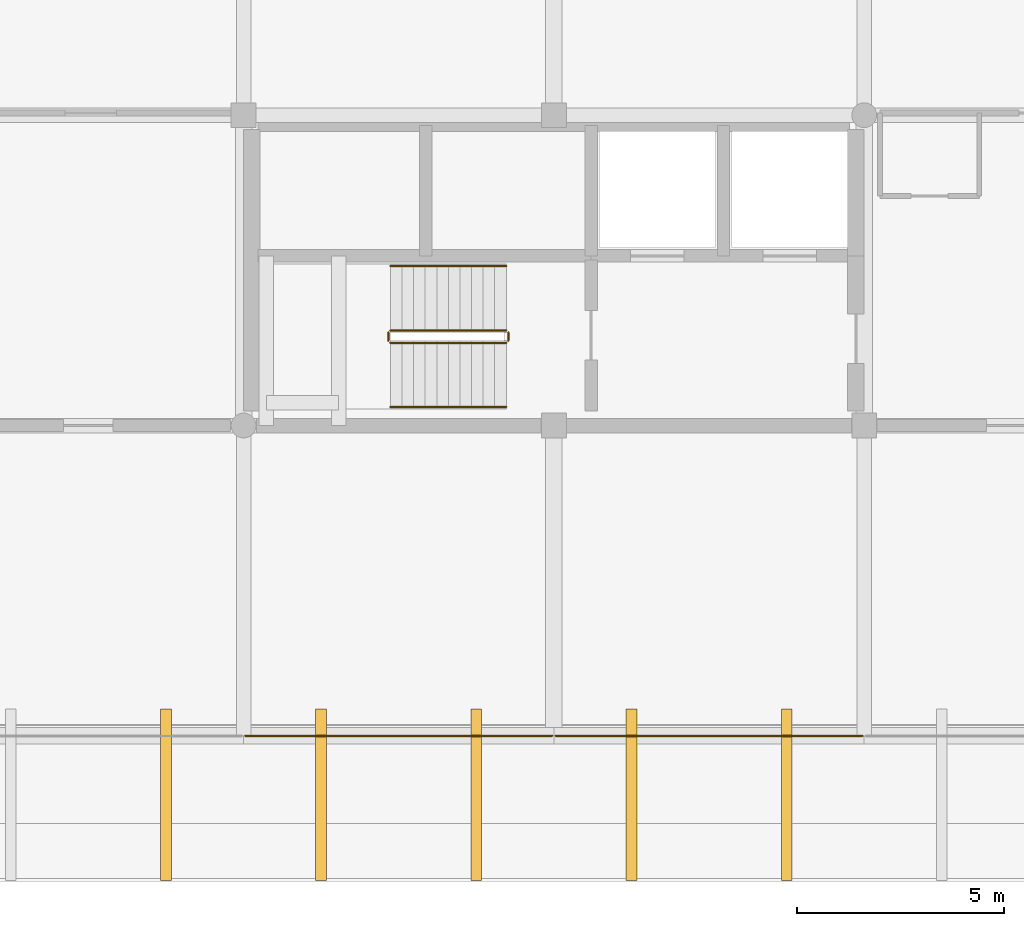
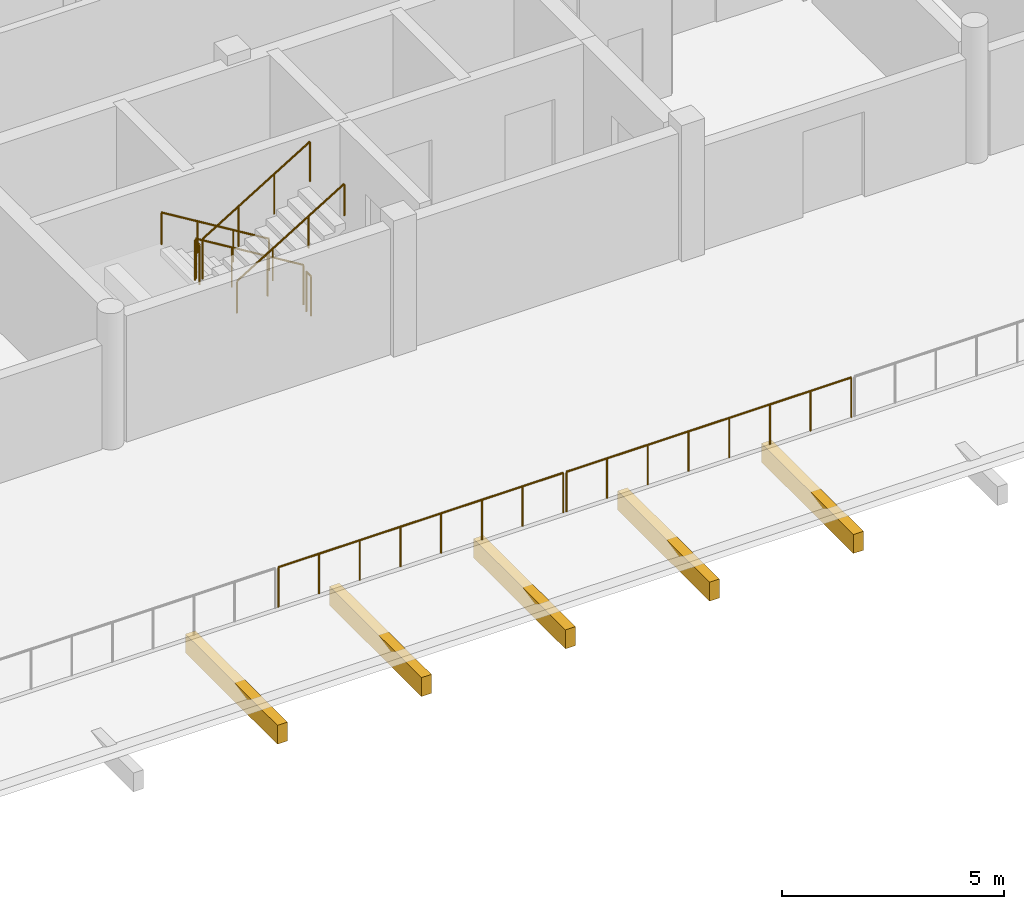
# One storey, part 40 of 43: 8 railings, 5 coverings.
"""IFC4 building model written with IfcOpenShell, lengths in metres."""

import ifcopenshell
import ifcopenshell.guid

model = None  # the IFC model being written
_history = None  # IfcOwnerHistory: only IFC2X3 demands one
_inside = {}  # id of a spatial element -> (the spatial element, [elements in it])
_under = {}  # id of a project, library or spatial element -> (it, [spatial elements below it])
_declared = {}  # id of a project -> (the project, [libraries it declares])
_typed = {}  # id of a type object -> (the type object, [elements of that type])
_made_of = {}  # id of a material, layer set ... -> (it, [elements and type objects made of it])


def new_model(schema):
    """Start an empty IFC model of exactly this schema.

    Asked for "IFC4X3", IfcOpenShell would pick the latest addendum, in which some entities
    have other attributes; the version numbers below select the first issue.
    IFC2X3 requires an IfcOwnerHistory on every rooted entity: one is made here for all.
    """
    global model, _history
    if schema == "IFC4X3":
        model = ifcopenshell.file(schema_version=(4, 3, 0, 0))
    else:
        model = ifcopenshell.file(schema=schema)
    _inside.clear()
    _under.clear()
    _declared.clear()
    _typed.clear()
    _made_of.clear()
    _history = None
    if model.schema == "IFC2X3":
        org = make("IfcOrganization", Name="unknown")
        user = make(
            "IfcPersonAndOrganization",
            ThePerson=make("IfcPerson", FamilyName="unknown"),
            TheOrganization=org,
        )
        app = make(
            "IfcApplication",
            ApplicationDeveloper=org,
            Version="unknown",
            ApplicationFullName="unknown",
            ApplicationIdentifier="unknown",
        )
        _history = make(
            "IfcOwnerHistory",
            OwningUser=user,
            OwningApplication=app,
            ChangeAction="ADDED",
            CreationDate=0,
        )
    return model


def make(cls, **values):
    """One entity of the class cls with the attributes given. An attribute that is None is left unset."""
    return model.create_entity(
        cls, **{name: value for name, value in values.items() if value is not None}
    )


def rooted(cls, **values):
    """An entity with a GlobalId (a new one), such as an element, a storey or a relation."""
    return make(cls, GlobalId=ifcopenshell.guid.new(), OwnerHistory=_history, **values)


def si_unit(unit_type, name, prefix=None):
    """IfcSIUnit, for example si_unit("LENGTHUNIT", "METRE", prefix="MILLI")."""
    return make("IfcSIUnit", UnitType=unit_type, Prefix=prefix, Name=name)


def assignment(units):
    """IfcUnitAssignment: the units of a project."""
    return None if units is None else make("IfcUnitAssignment", Units=units)


def point(xyz):
    """IfcCartesianPoint."""
    return None if xyz is None else make("IfcCartesianPoint", Coordinates=xyz)


def direction(xyz):
    """IfcDirection."""
    return None if xyz is None else make("IfcDirection", DirectionRatios=xyz)


def frame(location, z_axis=None, x_axis=None):
    """IfcAxis2Placement3D, a coordinate frame: its origin and axes. An axis left out is left unset."""
    return make(
        "IfcAxis2Placement3D",
        Location=point(location),
        Axis=direction(z_axis),
        RefDirection=direction(x_axis),
    )


def frame_2d(location, x_axis=None):
    """IfcAxis2Placement2D, a coordinate frame in the plane: its origin and x axis."""
    return make(
        "IfcAxis2Placement2D", Location=point(location), RefDirection=direction(x_axis)
    )


def origin():
    """The frame at (0, 0, 0) with its axes left unset."""
    return frame((0.0, 0.0, 0.0))


def origin_2d():
    """The frame at (0, 0) in the plane with its x axis left unset."""
    return frame_2d((0.0, 0.0))


def place(relative_to, where):
    """IfcLocalPlacement: puts the frame where relative to a parent placement (None: the world)."""
    return make(
        "IfcLocalPlacement", PlacementRelTo=relative_to, RelativePlacement=where
    )


def context(
    kind, dimensions, precision=None, world=None, true_north=None, identifier=None
):
    """IfcGeometricRepresentationContext, for example the 3D "Model" context."""
    return make(
        "IfcGeometricRepresentationContext",
        ContextIdentifier=identifier,
        ContextType=kind,
        CoordinateSpaceDimension=dimensions,
        Precision=precision,
        WorldCoordinateSystem=world,
        TrueNorth=true_north,
    )


def subcontext(parent, identifier, kind, view, scale=None):
    """IfcGeometricRepresentationSubContext, for example "Body" below "Model"."""
    return make(
        "IfcGeometricRepresentationSubContext",
        ContextIdentifier=identifier,
        ContextType=kind,
        ParentContext=parent,
        TargetScale=scale,
        TargetView=view,
    )


def project(units=None, contexts=None):
    """IfcProject with its units and contexts."""
    return rooted(
        "IfcProject",
        Name="project",
        RepresentationContexts=contexts,
        UnitsInContext=assignment(units),
    )


def spatial(cls, under=None, at=None, **own):
    """A site, building, storey or space (cls), placed at a placement, below another one or the project."""
    s = rooted(cls, ObjectPlacement=at, **own)
    if under is not None:
        _under.setdefault(under.id(), (under, []))[1].append(s)
    return s


def profile(cls, at=None, kind="AREA", **sizes):
    """A parametric profile (cls). Its sizes go by their IFC names, for example OverallWidth=200.0."""
    return make(cls, ProfileType=kind, Position=at, **sizes)


def rectangle(**sizes):
    """IfcRectangleProfileDef."""
    return profile("IfcRectangleProfileDef", **sizes)


def circle(**sizes):
    """IfcCircleProfileDef."""
    return profile("IfcCircleProfileDef", **sizes)


def extrude(swept, where, along, depth):
    """IfcExtrudedAreaSolid: the profile swept, set in the frame where, extruded along a direction by depth."""
    return make(
        "IfcExtrudedAreaSolid",
        SweptArea=swept,
        Position=where,
        ExtrudedDirection=direction(along),
        Depth=depth,
    )


def shape(context_of_items, identifier, shape_type, items):
    """IfcShapeRepresentation: the items that make up one representation, for example the "Body"."""
    return make(
        "IfcShapeRepresentation",
        ContextOfItems=context_of_items,
        RepresentationIdentifier=identifier,
        RepresentationType=shape_type,
        Items=items,
    )


def material(Name=None, Category=None):
    """IfcMaterial."""
    return make("IfcMaterial", Name=Name, Category=Category)


def layer(
    of_material, thickness, ventilated=None, Name=None, Category=None, Priority=None
):
    """IfcMaterialLayer: one layer of a wall or slab, of a material (None: an air gap)."""
    return make(
        "IfcMaterialLayer",
        Material=of_material,
        LayerThickness=thickness,
        IsVentilated=ventilated,
        Name=Name,
        Category=Category,
        Priority=Priority,
    )


def layer_set(layers, Name=None):
    """IfcMaterialLayerSet."""
    return make("IfcMaterialLayerSet", MaterialLayers=layers, LayerSetName=Name)


def made_of(thing, what):
    """Note that an element or type object is made of a material, layer set ...; save() writes the relation."""
    if what is not None:
        _made_of.setdefault(what.id(), (what, []))[1].append(thing)
    return thing


def type_object(cls, material=None, **own):
    """A type object (cls), such as IfcWallType, which elements share."""
    return made_of(rooted(cls, **own), material)


def element(
    cls,
    number,
    at=None,
    inside=None,
    cuts=None,
    type_object=None,
    material=None,
    context=None,
    identifier="Body",
    shape_type=None,
    held_by="IfcProductDefinitionShape",
    body=None,
    shapes=None,
    **own,
):
    """One element of the class cls, such as IfcWall. Its Tag is "e" and its number.

    at: its placement. inside: the storey or other place that contains it. cuts: it is an
    opening in that element (IfcRelVoidsElement). A single representation is given by context,
    identifier, shape_type and body (its items); several are given by shapes. held_by: the class
    of the entity that holds the representations. save() writes the other relations.
    """
    e = rooted(cls, Tag="e%d" % number, ObjectPlacement=at, **own)
    if body is not None:
        shapes = [shape(context, identifier, shape_type, body)]
    if shapes is not None:
        e.Representation = make(held_by, Representations=shapes)
    if inside is not None:
        _inside.setdefault(inside.id(), (inside, []))[1].append(e)
    if cuts is not None:
        rooted(
            "IfcRelVoidsElement", RelatingBuildingElement=cuts, RelatedOpeningElement=e
        )
    if type_object is not None:
        _typed.setdefault(type_object.id(), (type_object, []))[1].append(e)
    return made_of(e, material)


def aggregate(whole, parts):
    """IfcRelAggregates: a whole, such as a stair, and the parts it consists of."""
    return rooted("IfcRelAggregates", RelatingObject=whole, RelatedObjects=parts)


def save(model, path):
    """Write the relations noted so far, then the file.

    IfcRelAggregates (storeys below a building ...), IfcRelContainedInSpatialStructure (elements
    in a storey), IfcRelDefinesByType, IfcRelAssociatesMaterial and IfcRelDeclares: one each for
    every whole, place, type object, material and project.
    """
    for whole, parts in _under.values():
        aggregate(whole, parts)
    for where, things in _inside.values():
        rooted(
            "IfcRelContainedInSpatialStructure",
            RelatedElements=things,
            RelatingStructure=where,
        )
    for kind, things in _typed.values():
        rooted("IfcRelDefinesByType", RelatedObjects=things, RelatingType=kind)
    for what, things in _made_of.values():
        rooted("IfcRelAssociatesMaterial", RelatedObjects=things, RelatingMaterial=what)
    for by, libraries in _declared.values():
        rooted("IfcRelDeclares", RelatingContext=by, RelatedDefinitions=libraries)
    model.write(path)


model = new_model("IFC4")

# Units and contexts
model_context = context("Model", 3, precision=1e-05, world=origin(), true_north=direction((0.0, 1.0)))
body_context = subcontext(model_context, "Body", "Model", "MODEL_VIEW")
ifc_project = project(units=[si_unit("LENGTHUNIT", "METRE"), si_unit("AREAUNIT", "SQUARE_METRE"), si_unit("VOLUMEUNIT", "CUBIC_METRE"), si_unit("PLANEANGLEUNIT", "RADIAN"), si_unit("MASSUNIT", "GRAM", prefix="KILO")], contexts=[model_context])

# Site, building, storey
site_placement = place(None, origin())
site = spatial("IfcSite", under=ifc_project, at=site_placement, CompositionType="ELEMENT")
building_placement = place(site_placement, origin())
building = spatial("IfcBuilding", under=site, at=building_placement, Name="Dalvernix Boulevard General Hospital", CompositionType="ELEMENT")
storey_placement = place(building_placement, frame((0.0, 0.0, 14.10009765625)))
storey = spatial("IfcBuildingStorey", under=building, at=storey_placement, Name="L03", CompositionType="ELEMENT", Elevation=14.10009765625)

# Coverings
ifc_material_1 = material(Name="Preservative-treated glulam GL28h eave outlooker corbel bracket", Category="wood")
ifc_layer = layer(ifc_material_1, 0.239990234375)
ifc_layer_set = layer_set([ifc_layer], Name="Preservative-treated glulam GL28h eave outlooker corbel bracket (COV-OUTLOOK-01)")
covering_type = type_object("IfcCoveringType", Name="COV-OUTLOOK-01", PredefinedType="CLADDING", material=ifc_layer_set)
for number, where, z_axis, x_axis, name in (
    (1, (125.625, -1.425048828125, -0.940185546875), (0.0, 0.0, 1.0), (1.0, 0.0, 0.0), "TIER-V5-BASE glulam eave outlooker corbel S-4"),
    (2, (129.375, -1.425048828125, -0.940185546875), (0.0, 0.0, 1.0), (1.0, 0.0, 0.0), "TIER-V5-BASE glulam eave outlooker corbel S-5"),
    (3, (133.125, -1.425048828125, -0.940185546875), (0.0, 0.0, 1.0), (1.0, 0.0, 0.0), "TIER-V5-BASE glulam eave outlooker corbel S-6"),
    (4, (136.875, -1.425048828125, -0.940185546875), (0.0, 0.0, 1.0), (1.0, 0.0, 0.0), "TIER-V5-BASE glulam eave outlooker corbel S-7"),
    (5, (140.625, -1.425048828125, -0.940185546875), (0.0, 0.0, 1.0), (1.0, 0.0, 0.0), "TIER-V5-BASE glulam eave outlooker corbel S-8"),
):
    element("IfcCovering", number, at=place(storey_placement, frame(where, z_axis=z_axis, x_axis=x_axis)), inside=storey, type_object=covering_type, Name=name, PredefinedType="CLADDING", context=body_context, shape_type="SweptSolid", body=[
        extrude(rectangle(XDim=0.260009765625, YDim=4.14990234375, at=origin_2d()), origin(), (0.0, 0.0, 1.0), 0.52001953125),
    ])

# Railings
ifc_material_2 = material(Name="Powder-coated galvanized steel balustrade", Category="steel")
railing_type_1 = type_object("IfcRailingType", Name="RL-GR-EXT1", PredefinedType="BALUSTRADE", material=ifc_material_2)
for number, where, name in (
    (6, (142.4599609375, 0.0, 0.0), "L03 terrace safety balustrade 6"),
    (7, (134.9599609375, 0.0, 0.0), "L03 terrace safety balustrade 7"),
):
    element("IfcRailing", number, at=place(storey_placement, frame(where)), inside=storey, type_object=railing_type_1, Name=name, PredefinedType="BALUSTRADE", context=body_context, shape_type="SweptSolid", body=[
        extrude(circle(Radius=0.02392578125, at=origin_2d()), frame((0.0, 0.0, 1.09619140625), z_axis=(-1.0, 0.0, 0.0), x_axis=(0.0, -1.0, 0.0)), (0.0, 0.0, 1.0), 7.419921875),
        extrude(circle(Radius=0.02099609375, at=origin_2d()), origin(), (0.0, 0.0, 1.0), 1.072021484375),
        extrude(circle(Radius=0.02099609375, at=origin_2d()), frame((-1.06005859375, 0.0, 0.0)), (0.0, 0.0, 1.0), 1.072021484375),
        extrude(circle(Radius=0.02099609375, at=origin_2d()), frame((-2.119873046875, 0.0, 0.0)), (0.0, 0.0, 1.0), 1.072021484375),
        extrude(circle(Radius=0.02099609375, at=origin_2d()), frame((-3.179931640625, 0.0, 0.0)), (0.0, 0.0, 1.0), 1.072021484375),
        extrude(circle(Radius=0.02099609375, at=origin_2d()), frame((-4.239990234375, 0.0, 0.0)), (0.0, 0.0, 1.0), 1.072021484375),
        extrude(circle(Radius=0.02099609375, at=origin_2d()), frame((-5.300048828125, 0.0, 0.0)), (0.0, 0.0, 1.0), 1.072021484375),
        extrude(circle(Radius=0.02099609375, at=origin_2d()), frame((-6.35986328125, 0.0, 0.0)), (0.0, 0.0, 1.0), 1.072021484375),
        extrude(circle(Radius=0.02099609375, at=origin_2d()), frame((-7.419921875, 0.0, 0.0)), (0.0, 0.0, 1.0), 1.072021484375),
    ])
ifc_material_3 = material(Name="Brushed stainless steel balustrade", Category="steel")
railing_type_2 = type_object("IfcRailingType", Name="RL-GR-INT1", PredefinedType="BALUSTRADE", material=ifc_material_3)
railing_1_placement = place(storey_placement, frame((133.85009765625, 9.800048828125, 0.17041015625)))
element("IfcRailing", 8, at=railing_1_placement, inside=storey, type_object=railing_type_2, Name="L03 ST-05 stair guard 1", PredefinedType="BALUSTRADE", context=body_context, shape_type="SweptSolid", body=[
    extrude(circle(Radius=0.02392578125, at=origin_2d()), frame((0.0, 0.0, 1.09619140625), z_axis=(-0.854169791009, 0.0, 0.51999420009), x_axis=(0.0, -1.0, 0.0)), (0.0, 0.0, 1.0), 3.278076171875),
    extrude(circle(Radius=0.02099609375, at=origin_2d()), origin(), (0.0, 0.0, 1.0), 1.072021484375),
    extrude(circle(Radius=0.02099609375, at=origin_2d()), frame((-0.933349609375, 0.0, 0.568115234375)), (0.0, 0.0, 1.0), 1.072021484375),
    extrude(circle(Radius=0.02099609375, at=origin_2d()), frame((-1.86669921875, 0.0, 1.136474609375)), (0.0, 0.0, 1.0), 1.072021484375),
    extrude(circle(Radius=0.02099609375, at=origin_2d()), frame((-2.800048828125, 0.0, 1.70458984375)), (0.0, 0.0, 1.0), 1.072021484375),
])
railing_2_placement = place(storey_placement, frame((131.0, 9.75, 1.875)))
element("IfcRailing", 9, at=railing_2_placement, inside=storey, type_object=railing_type_2, Name="L03 ST-05 stair guard 2", PredefinedType="BALUSTRADE", context=body_context, shape_type="SweptSolid", body=[
    extrude(circle(Radius=0.02392578125, at=origin_2d()), frame((0.0, 0.0, 1.09619140625), z_axis=(0.0, -1.0, 0.0), x_axis=(1.0, 0.0, 0.0)), (0.0, 0.0, 1.0), 0.199951171875),
    extrude(circle(Radius=0.02099609375, at=origin_2d()), origin(), (0.0, 0.0, 1.0), 1.072021484375),
    extrude(circle(Radius=0.02099609375, at=origin_2d()), frame((0.0, -0.199951171875, 0.0)), (0.0, 0.0, 1.0), 1.072021484375),
])
railing_3_placement = place(storey_placement, frame((131.050048828125, 9.5, 2.04541015625)))
element("IfcRailing", 10, at=railing_3_placement, inside=storey, type_object=railing_type_2, Name="L03 ST-05 stair guard 3", PredefinedType="BALUSTRADE", context=body_context, shape_type="SweptSolid", body=[
    extrude(circle(Radius=0.02392578125, at=origin_2d()), frame((0.0, 0.0, 1.09619140625), z_axis=(0.854169791009, 0.0, 0.51999420009), x_axis=(0.0, 1.0, 0.0)), (0.0, 0.0, 1.0), 3.278076171875),
    extrude(circle(Radius=0.02099609375, at=origin_2d()), origin(), (0.0, 0.0, 1.0), 1.072021484375),
    extrude(circle(Radius=0.02099609375, at=origin_2d()), frame((0.933349609375, 0.0, 0.568115234375)), (0.0, 0.0, 1.0), 1.072021484375),
    extrude(circle(Radius=0.02099609375, at=origin_2d()), frame((1.86669921875, 0.0, 1.136474609375)), (0.0, 0.0, 1.0), 1.072021484375),
    extrude(circle(Radius=0.02099609375, at=origin_2d()), frame((2.800048828125, 0.0, 1.70458984375)), (0.0, 0.0, 1.0), 1.072021484375),
])
railing_4_placement = place(storey_placement, frame((133.89990234375, 9.75, 0.0)))
element("IfcRailing", 11, at=railing_4_placement, inside=storey, type_object=railing_type_2, Name="L03 ST-05 stair guard 4", PredefinedType="BALUSTRADE", context=body_context, shape_type="SweptSolid", body=[
    extrude(circle(Radius=0.02392578125, at=origin_2d()), frame((0.0, 0.0, 1.09619140625), z_axis=(0.0, -1.0, 0.0), x_axis=(1.0, 0.0, 0.0)), (0.0, 0.0, 1.0), 0.199951171875),
    extrude(circle(Radius=0.02099609375, at=origin_2d()), origin(), (0.0, 0.0, 1.0), 1.072021484375),
    extrude(circle(Radius=0.02099609375, at=origin_2d()), frame((0.0, -0.199951171875, 0.0)), (0.0, 0.0, 1.0), 1.072021484375),
])
ifc_material_4 = material(Name="Brushed stainless steel wall handrail", Category="steel")
railing_type_3 = type_object("IfcRailingType", Name="RL-HR-INT1", PredefinedType="HANDRAIL", material=ifc_material_4)
railing_5_placement = place(storey_placement, frame((133.85009765625, 11.35009765625, 0.17041015625)))
element("IfcRailing", 12, at=railing_5_placement, inside=storey, type_object=railing_type_3, Name="L03 ST-05 stair handrail 1", PredefinedType="HANDRAIL", context=body_context, shape_type="SweptSolid", body=[
    extrude(circle(Radius=0.02392578125, at=origin_2d()), frame((0.0, 0.0, 0.8759765625), z_axis=(-0.854169791009, 0.0, 0.51999420009), x_axis=(0.0, -1.0, 0.0)), (0.0, 0.0, 1.0), 3.278076171875),
    extrude(circle(Radius=0.02099609375, at=origin_2d()), origin(), (0.0, 0.0, 1.0), 0.851806640625),
    extrude(circle(Radius=0.02099609375, at=origin_2d()), frame((-0.933349609375, 0.0, 0.568115234375)), (0.0, 0.0, 1.0), 0.851806640625),
    extrude(circle(Radius=0.02099609375, at=origin_2d()), frame((-1.86669921875, 0.0, 1.136474609375)), (0.0, 0.0, 1.0), 0.851806640625),
    extrude(circle(Radius=0.02099609375, at=origin_2d()), frame((-2.800048828125, 0.0, 1.70458984375)), (0.0, 0.0, 1.0), 0.851806640625),
])
railing_6_placement = place(storey_placement, frame((131.050048828125, 7.949951171875, 2.04541015625)))
element("IfcRailing", 13, at=railing_6_placement, inside=storey, type_object=railing_type_3, Name="L03 ST-05 stair handrail 2", PredefinedType="HANDRAIL", context=body_context, shape_type="SweptSolid", body=[
    extrude(circle(Radius=0.02392578125, at=origin_2d()), frame((0.0, 0.0, 0.8759765625), z_axis=(0.854169791009, 0.0, 0.51999420009), x_axis=(0.0, 1.0, 0.0)), (0.0, 0.0, 1.0), 3.278076171875),
    extrude(circle(Radius=0.02099609375, at=origin_2d()), origin(), (0.0, 0.0, 1.0), 0.851806640625),
    extrude(circle(Radius=0.02099609375, at=origin_2d()), frame((0.933349609375, 0.0, 0.568115234375)), (0.0, 0.0, 1.0), 0.851806640625),
    extrude(circle(Radius=0.02099609375, at=origin_2d()), frame((1.86669921875, 0.0, 1.136474609375)), (0.0, 0.0, 1.0), 0.851806640625),
    extrude(circle(Radius=0.02099609375, at=origin_2d()), frame((2.800048828125, 0.0, 1.70458984375)), (0.0, 0.0, 1.0), 0.851806640625),
])

save(model, "model.ifc")
